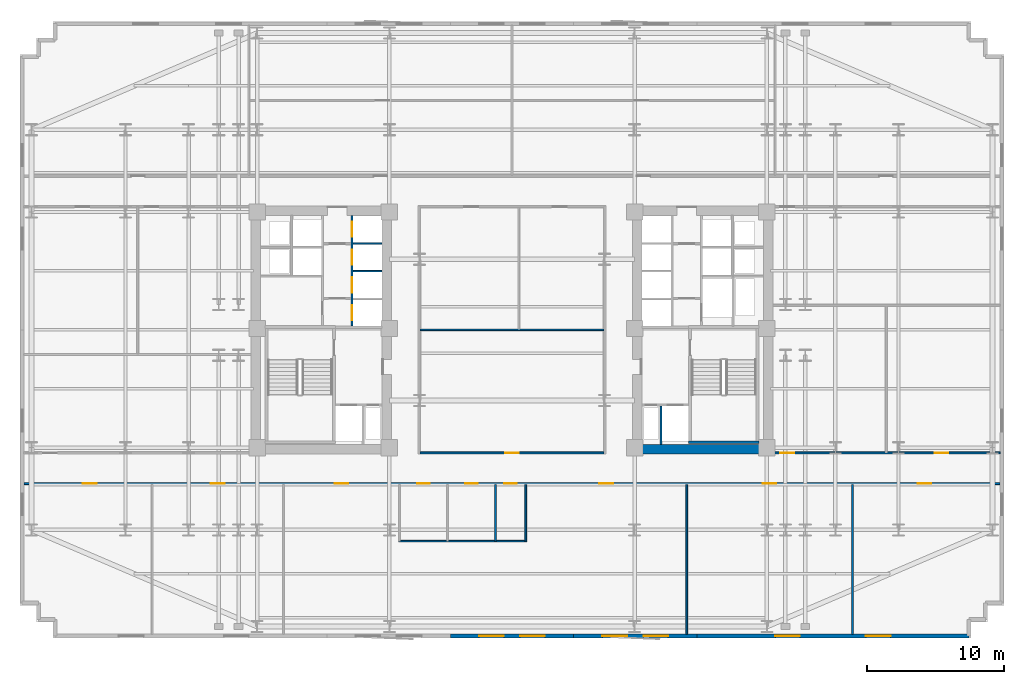
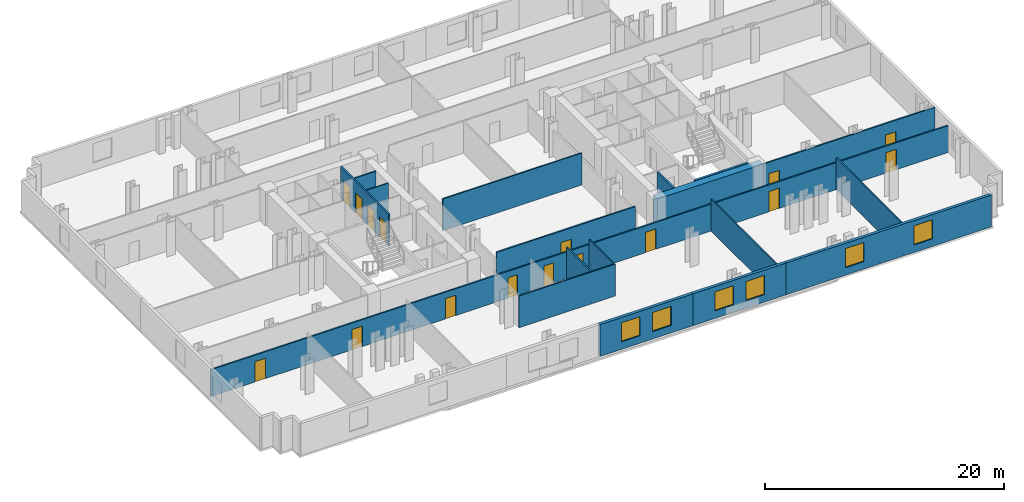
# One storey, part 5 of 10: 18 walls, 16 doors, 6 windows, 22 openings.
"""IFC4 building model written with IfcOpenShell, lengths in metres."""

import ifcopenshell
import ifcopenshell.guid

model = None  # the IFC model being written
_history = None  # IfcOwnerHistory: only IFC2X3 demands one
_inside = {}  # id of a spatial element -> (the spatial element, [elements in it])
_under = {}  # id of a project, library or spatial element -> (it, [spatial elements below it])
_declared = {}  # id of a project -> (the project, [libraries it declares])
_typed = {}  # id of a type object -> (the type object, [elements of that type])
_made_of = {}  # id of a material, layer set ... -> (it, [elements and type objects made of it])


def new_model(schema):
    """Start an empty IFC model of exactly this schema.

    Asked for "IFC4X3", IfcOpenShell would pick the latest addendum, in which some entities
    have other attributes; the version numbers below select the first issue.
    IFC2X3 requires an IfcOwnerHistory on every rooted entity: one is made here for all.
    """
    global model, _history
    if schema == "IFC4X3":
        model = ifcopenshell.file(schema_version=(4, 3, 0, 0))
    else:
        model = ifcopenshell.file(schema=schema)
    _inside.clear()
    _under.clear()
    _declared.clear()
    _typed.clear()
    _made_of.clear()
    _history = None
    if model.schema == "IFC2X3":
        org = make("IfcOrganization", Name="unknown")
        user = make(
            "IfcPersonAndOrganization",
            ThePerson=make("IfcPerson", FamilyName="unknown"),
            TheOrganization=org,
        )
        app = make(
            "IfcApplication",
            ApplicationDeveloper=org,
            Version="unknown",
            ApplicationFullName="unknown",
            ApplicationIdentifier="unknown",
        )
        _history = make(
            "IfcOwnerHistory",
            OwningUser=user,
            OwningApplication=app,
            ChangeAction="ADDED",
            CreationDate=0,
        )
    return model


def make(cls, **values):
    """One entity of the class cls with the attributes given. An attribute that is None is left unset."""
    return model.create_entity(
        cls, **{name: value for name, value in values.items() if value is not None}
    )


def rooted(cls, **values):
    """An entity with a GlobalId (a new one), such as an element, a storey or a relation."""
    return make(cls, GlobalId=ifcopenshell.guid.new(), OwnerHistory=_history, **values)


def si_unit(unit_type, name, prefix=None):
    """IfcSIUnit, for example si_unit("LENGTHUNIT", "METRE", prefix="MILLI")."""
    return make("IfcSIUnit", UnitType=unit_type, Prefix=prefix, Name=name)


def assignment(units):
    """IfcUnitAssignment: the units of a project."""
    return None if units is None else make("IfcUnitAssignment", Units=units)


def point(xyz):
    """IfcCartesianPoint."""
    return None if xyz is None else make("IfcCartesianPoint", Coordinates=xyz)


def direction(xyz):
    """IfcDirection."""
    return None if xyz is None else make("IfcDirection", DirectionRatios=xyz)


def frame(location, z_axis=None, x_axis=None):
    """IfcAxis2Placement3D, a coordinate frame: its origin and axes. An axis left out is left unset."""
    return make(
        "IfcAxis2Placement3D",
        Location=point(location),
        Axis=direction(z_axis),
        RefDirection=direction(x_axis),
    )


def frame_2d(location, x_axis=None):
    """IfcAxis2Placement2D, a coordinate frame in the plane: its origin and x axis."""
    return make(
        "IfcAxis2Placement2D", Location=point(location), RefDirection=direction(x_axis)
    )


def origin():
    """The frame at (0, 0, 0) with its axes left unset."""
    return frame((0.0, 0.0, 0.0))


def place(relative_to, where):
    """IfcLocalPlacement: puts the frame where relative to a parent placement (None: the world)."""
    return make(
        "IfcLocalPlacement", PlacementRelTo=relative_to, RelativePlacement=where
    )


def context(
    kind, dimensions, precision=None, world=None, true_north=None, identifier=None
):
    """IfcGeometricRepresentationContext, for example the 3D "Model" context."""
    return make(
        "IfcGeometricRepresentationContext",
        ContextIdentifier=identifier,
        ContextType=kind,
        CoordinateSpaceDimension=dimensions,
        Precision=precision,
        WorldCoordinateSystem=world,
        TrueNorth=true_north,
    )


def subcontext(parent, identifier, kind, view, scale=None):
    """IfcGeometricRepresentationSubContext, for example "Body" below "Model"."""
    return make(
        "IfcGeometricRepresentationSubContext",
        ContextIdentifier=identifier,
        ContextType=kind,
        ParentContext=parent,
        TargetScale=scale,
        TargetView=view,
    )


def project(units=None, contexts=None):
    """IfcProject with its units and contexts."""
    return rooted(
        "IfcProject",
        Name="project",
        RepresentationContexts=contexts,
        UnitsInContext=assignment(units),
    )


def spatial(cls, under=None, at=None, **own):
    """A site, building, storey or space (cls), placed at a placement, below another one or the project."""
    s = rooted(cls, ObjectPlacement=at, **own)
    if under is not None:
        _under.setdefault(under.id(), (under, []))[1].append(s)
    return s


def profile(cls, at=None, kind="AREA", **sizes):
    """A parametric profile (cls). Its sizes go by their IFC names, for example OverallWidth=200.0."""
    return make(cls, ProfileType=kind, Position=at, **sizes)


def rectangle(**sizes):
    """IfcRectangleProfileDef."""
    return profile("IfcRectangleProfileDef", **sizes)


def extrude(swept, where, along, depth):
    """IfcExtrudedAreaSolid: the profile swept, set in the frame where, extruded along a direction by depth."""
    return make(
        "IfcExtrudedAreaSolid",
        SweptArea=swept,
        Position=where,
        ExtrudedDirection=direction(along),
        Depth=depth,
    )


def shape(context_of_items, identifier, shape_type, items):
    """IfcShapeRepresentation: the items that make up one representation, for example the "Body"."""
    return make(
        "IfcShapeRepresentation",
        ContextOfItems=context_of_items,
        RepresentationIdentifier=identifier,
        RepresentationType=shape_type,
        Items=items,
    )


def material(Name=None, Category=None):
    """IfcMaterial."""
    return make("IfcMaterial", Name=Name, Category=Category)


def layer(
    of_material, thickness, ventilated=None, Name=None, Category=None, Priority=None
):
    """IfcMaterialLayer: one layer of a wall or slab, of a material (None: an air gap)."""
    return make(
        "IfcMaterialLayer",
        Material=of_material,
        LayerThickness=thickness,
        IsVentilated=ventilated,
        Name=Name,
        Category=Category,
        Priority=Priority,
    )


def layer_set(layers, Name=None):
    """IfcMaterialLayerSet."""
    return make("IfcMaterialLayerSet", MaterialLayers=layers, LayerSetName=Name)


def made_of(thing, what):
    """Note that an element or type object is made of a material, layer set ...; save() writes the relation."""
    if what is not None:
        _made_of.setdefault(what.id(), (what, []))[1].append(thing)
    return thing


def type_object(cls, material=None, **own):
    """A type object (cls), such as IfcWallType, which elements share."""
    return made_of(rooted(cls, **own), material)


def element(
    cls,
    number,
    at=None,
    inside=None,
    cuts=None,
    type_object=None,
    material=None,
    context=None,
    identifier="Body",
    shape_type=None,
    held_by="IfcProductDefinitionShape",
    body=None,
    shapes=None,
    **own,
):
    """One element of the class cls, such as IfcWall. Its Tag is "e" and its number.

    at: its placement. inside: the storey or other place that contains it. cuts: it is an
    opening in that element (IfcRelVoidsElement). A single representation is given by context,
    identifier, shape_type and body (its items); several are given by shapes. held_by: the class
    of the entity that holds the representations. save() writes the other relations.
    """
    e = rooted(cls, Tag="e%d" % number, ObjectPlacement=at, **own)
    if body is not None:
        shapes = [shape(context, identifier, shape_type, body)]
    if shapes is not None:
        e.Representation = make(held_by, Representations=shapes)
    if inside is not None:
        _inside.setdefault(inside.id(), (inside, []))[1].append(e)
    if cuts is not None:
        rooted(
            "IfcRelVoidsElement", RelatingBuildingElement=cuts, RelatedOpeningElement=e
        )
    if type_object is not None:
        _typed.setdefault(type_object.id(), (type_object, []))[1].append(e)
    return made_of(e, material)


def fill(opening, filler):
    """IfcRelFillsElement: the door or window that sits in an opening."""
    return rooted(
        "IfcRelFillsElement",
        RelatingOpeningElement=opening,
        RelatedBuildingElement=filler,
    )


def aggregate(whole, parts):
    """IfcRelAggregates: a whole, such as a stair, and the parts it consists of."""
    return rooted("IfcRelAggregates", RelatingObject=whole, RelatedObjects=parts)


def save(model, path):
    """Write the relations noted so far, then the file.

    IfcRelAggregates (storeys below a building ...), IfcRelContainedInSpatialStructure (elements
    in a storey), IfcRelDefinesByType, IfcRelAssociatesMaterial and IfcRelDeclares: one each for
    every whole, place, type object, material and project.
    """
    for whole, parts in _under.values():
        aggregate(whole, parts)
    for where, things in _inside.values():
        rooted(
            "IfcRelContainedInSpatialStructure",
            RelatedElements=things,
            RelatingStructure=where,
        )
    for kind, things in _typed.values():
        rooted("IfcRelDefinesByType", RelatedObjects=things, RelatingType=kind)
    for what, things in _made_of.values():
        rooted("IfcRelAssociatesMaterial", RelatedObjects=things, RelatingMaterial=what)
    for by, libraries in _declared.values():
        rooted("IfcRelDeclares", RelatingContext=by, RelatedDefinitions=libraries)
    model.write(path)


model = new_model("IFC4")

# Units and contexts
model_context = context("Model", 3, precision=1e-05, world=origin(), true_north=direction((0.0, 1.0)))
body_context = subcontext(model_context, "Body", "Model", "MODEL_VIEW")
ifc_project = project(units=[si_unit("LENGTHUNIT", "METRE"), si_unit("AREAUNIT", "SQUARE_METRE"), si_unit("VOLUMEUNIT", "CUBIC_METRE"), si_unit("PLANEANGLEUNIT", "RADIAN"), si_unit("MASSUNIT", "GRAM", prefix="KILO")], contexts=[model_context])

# Site, building, storey
site_placement = place(None, origin())
site = spatial("IfcSite", under=ifc_project, at=site_placement, CompositionType="ELEMENT")
building_placement = place(site_placement, origin())
building = spatial("IfcBuilding", under=site, at=building_placement, Name="Velakula Bourse", CompositionType="ELEMENT")
storey_placement = place(building_placement, frame((0.0, 0.0, 51.89990234375)))
storey = spatial("IfcBuildingStorey", under=building, at=storey_placement, Name="L13", CompositionType="ELEMENT", Elevation=51.89990234375)

# Walls
ifc_material_1 = material(Name="Concrete M50 (fck 50 MPa)", Category="concrete")
ifc_layer_1 = layer(ifc_material_1, 0.2099609375, Name="Concrete M50 (fck 50 MPa)", Category="concrete")
ifc_layer_set_1 = layer_set([ifc_layer_1], Name="Concrete M50 (fck 50 MPa)")
wall_type_1 = type_object("IfcWallType", Name="WL-CORE-210", PredefinedType="SHEAR", material=ifc_layer_set_1)
wall_1_placement = place(storey_placement, frame((12.889892578125, -8.205078125, 0.0), z_axis=(0.0, 0.0, 1.0), x_axis=(1.0, 0.0, 0.0)))
element("IfcWall", 1, at=wall_1_placement, inside=storey, type_object=wall_type_1, Name="L13 Core E Stairwell Shear Wall S", PredefinedType="SHEAR", context=body_context, shape_type="SweptSolid", body=[
    extrude(rectangle(XDim=5.14013671875, YDim=0.2099609375, at=frame_2d((2.570068359375, 0.0))), origin(), (0.0, 0.0, 1.0), 3.27001953125),
])
ifc_material_2 = material(Name="Concrete M70 (fck 70 MPa)", Category="concrete")
ifc_layer_2 = layer(ifc_material_2, 0.699951171875, Name="Concrete M70 (fck 70 MPa)", Category="concrete")
ifc_layer_set_2 = layer_set([ifc_layer_2], Name="Concrete M70 (fck 70 MPa)")
wall_type_2 = type_object("IfcWallType", Name="WL-CORE-700", PredefinedType="SHEAR", material=ifc_layer_set_2)
wall_2_placement = place(storey_placement, frame((8.800048828125, -8.699951171875, 0.0), z_axis=(0.0, 0.0, 1.0), x_axis=(1.0, 0.0, 0.0)))
element("IfcWall", 2, at=wall_2_placement, inside=storey, type_object=wall_type_2, Name="L13 Core E Shear Wall S", PredefinedType="SHEAR", context=body_context, shape_type="SweptSolid", body=[
    extrude(rectangle(XDim=10.25, YDim=0.699951171875, at=frame_2d((5.125, 0.0))), origin(), (0.0, 0.0, 1.0), 3.27001953125),
])

# Wall, openings, windows
ifc_material_3 = material(Name="Red kilned clay facing brick masonry", Category="masonry")
ifc_layer_3 = layer(ifc_material_3, 0.280029296875, Name="Red kilned clay facing brick masonry", Category="masonry")
ifc_layer_set_3 = layer_set([ifc_layer_3], Name="Red kilned clay facing brick masonry")
wall_type_3 = type_object("IfcWallType", Name="WL-EXT-BRK-280", PredefinedType="STANDARD", material=ifc_layer_set_3)
wall_3_placement = place(storey_placement, frame((4.5, -22.340087890625, 0.0), z_axis=(0.0, 0.0, 1.0), x_axis=(-1.0, 0.0, 0.0)))
wall_3 = element("IfcWall", 3, at=wall_3_placement, inside=storey, type_object=wall_type_3, Name="L13 S Brick Spandrel Wall B3", PredefinedType="STANDARD", context=body_context, shape_type="SweptSolid", body=[
    extrude(rectangle(XDim=9.0, YDim=0.280029296875, at=frame_2d((4.5, 0.0))), origin(), (0.0, 0.0, 1.0), 3.25),
])
opening_1_placement = place(wall_3_placement, frame((2.10009765625, 0.0, 0.760009765625)))
opening_1 = element("IfcOpeningElement", 4, at=opening_1_placement, cuts=wall_3, Name="Opening W-01", PredefinedType="OPENING", context=body_context, shape_type="SweptSolid", body=[
    extrude(rectangle(XDim=1.800048828125, YDim=1.949951171875, at=frame_2d((0.89990234375, 0.97509765625))), frame((0.0, 0.14990234375, 0.0), z_axis=(0.0, -1.0, 0.0), x_axis=(1.0, 0.0, 0.0)), (0.0, 0.0, 1.0), 0.300048828125),
])
opening_2_placement = place(wall_3_placement, frame((5.10009765625, 0.0, 0.760009765625)))
opening_2 = element("IfcOpeningElement", 5, at=opening_2_placement, cuts=wall_3, Name="Opening W-01", PredefinedType="OPENING", context=body_context, shape_type="SweptSolid", body=[
    extrude(rectangle(XDim=1.800048828125, YDim=1.949951171875, at=frame_2d((0.89990234375, 0.97509765625))), frame((0.0, 0.14990234375, 0.0), z_axis=(0.0, -1.0, 0.0), x_axis=(1.0, 0.0, 0.0)), (0.0, 0.0, 1.0), 0.300048828125),
])
ifc_material_4 = material(Name="Double-glazed solar-control Low-E glass", Category="glass")
window_type = type_object("IfcWindowType", Name="WIN-TWR-1800x2100", PartitioningType="SINGLE_PANEL", PredefinedType="WINDOW", material=ifc_material_4)
window_1_placement = place(opening_1_placement, origin())
window_1 = element("IfcWindow", 6, at=window_1_placement, inside=storey, type_object=window_type, Name="L13 Deep-Set Recessed Window 1", OverallHeight=1.949951171875, OverallWidth=1.800048828125, PartitioningType="SINGLE_PANEL", PredefinedType="WINDOW", context=body_context, shape_type="SweptSolid", body=[
    extrude(rectangle(XDim=1.800048828125, YDim=1.949951171875, at=frame_2d((0.89990234375, 0.97509765625))), frame((0.0, 0.030029296875, 0.0), z_axis=(0.0, -1.0, 0.0), x_axis=(1.0, 0.0, 0.0)), (0.0, 0.0, 1.0), 0.06005859375),
])
fill(opening_1, window_1)
window_2_placement = place(opening_2_placement, origin())
window_2 = element("IfcWindow", 7, at=window_2_placement, inside=storey, type_object=window_type, Name="L13 Deep-Set Recessed Window 2", OverallHeight=1.949951171875, OverallWidth=1.800048828125, PartitioningType="SINGLE_PANEL", PredefinedType="WINDOW", context=body_context, shape_type="SweptSolid", body=[
    extrude(rectangle(XDim=1.800048828125, YDim=1.949951171875, at=frame_2d((0.89990234375, 0.97509765625))), frame((0.0, 0.030029296875, 0.0), z_axis=(0.0, -1.0, 0.0), x_axis=(1.0, 0.0, 0.0)), (0.0, 0.0, 1.0), 0.06005859375),
])
fill(opening_2, window_2)

wall_4_placement = place(storey_placement, frame((13.5, -22.340087890625, 0.0), z_axis=(0.0, 0.0, 1.0), x_axis=(-1.0, 0.0, 0.0)))
wall_4 = element("IfcWall", 8, at=wall_4_placement, inside=storey, type_object=wall_type_3, Name="L13 S Brick Spandrel Wall B4", PredefinedType="STANDARD", context=body_context, shape_type="SweptSolid", body=[
    extrude(rectangle(XDim=9.0, YDim=0.280029296875, at=frame_2d((4.5, 0.0))), origin(), (0.0, 0.0, 1.0), 3.25),
])
opening_3_placement = place(wall_4_placement, frame((2.10009765625, 0.0, 0.760009765625)))
opening_3 = element("IfcOpeningElement", 9, at=opening_3_placement, cuts=wall_4, Name="Opening W-01", PredefinedType="OPENING", context=body_context, shape_type="SweptSolid", body=[
    extrude(rectangle(XDim=1.800048828125, YDim=1.949951171875, at=frame_2d((0.89990234375, 0.97509765625))), frame((0.0, 0.14990234375, 0.0), z_axis=(0.0, -1.0, 0.0), x_axis=(1.0, 0.0, 0.0)), (0.0, 0.0, 1.0), 0.300048828125),
])
opening_4_placement = place(wall_4_placement, frame((5.10009765625, 0.0, 0.760009765625)))
opening_4 = element("IfcOpeningElement", 10, at=opening_4_placement, cuts=wall_4, Name="Opening W-01", PredefinedType="OPENING", context=body_context, shape_type="SweptSolid", body=[
    extrude(rectangle(XDim=1.800048828125, YDim=1.949951171875, at=frame_2d((0.89990234375, 0.97509765625))), frame((0.0, 0.14990234375, 0.0), z_axis=(0.0, -1.0, 0.0), x_axis=(1.0, 0.0, 0.0)), (0.0, 0.0, 1.0), 0.300048828125),
])
window_3_placement = place(opening_3_placement, origin())
window_3 = element("IfcWindow", 11, at=window_3_placement, inside=storey, type_object=window_type, Name="L13 Deep-Set Recessed Window 1", OverallHeight=1.949951171875, OverallWidth=1.800048828125, PartitioningType="SINGLE_PANEL", PredefinedType="WINDOW", context=body_context, shape_type="SweptSolid", body=[
    extrude(rectangle(XDim=1.800048828125, YDim=1.949951171875, at=frame_2d((0.89990234375, 0.97509765625))), frame((0.0, 0.030029296875, 0.0), z_axis=(0.0, -1.0, 0.0), x_axis=(1.0, 0.0, 0.0)), (0.0, 0.0, 1.0), 0.06005859375),
])
fill(opening_3, window_3)
window_4_placement = place(opening_4_placement, origin())
window_4 = element("IfcWindow", 12, at=window_4_placement, inside=storey, type_object=window_type, Name="L13 Deep-Set Recessed Window 2", OverallHeight=1.949951171875, OverallWidth=1.800048828125, PartitioningType="SINGLE_PANEL", PredefinedType="WINDOW", context=body_context, shape_type="SweptSolid", body=[
    extrude(rectangle(XDim=1.800048828125, YDim=1.949951171875, at=frame_2d((0.89990234375, 0.97509765625))), frame((0.0, 0.030029296875, 0.0), z_axis=(0.0, -1.0, 0.0), x_axis=(1.0, 0.0, 0.0)), (0.0, 0.0, 1.0), 0.06005859375),
])
fill(opening_4, window_4)

wall_5_placement = place(storey_placement, frame((33.340087890625, -22.340087890625, 0.0), z_axis=(0.0, 0.0, 1.0), x_axis=(-1.0, 0.0, 0.0)))
wall_5 = element("IfcWall", 13, at=wall_5_placement, inside=storey, type_object=wall_type_3, Name="L13 S Brick Spandrel Wall B5", PredefinedType="STANDARD", context=body_context, shape_type="SweptSolid", body=[
    extrude(rectangle(XDim=19.840087890625, YDim=0.280029296875, at=frame_2d((9.919921875, 0.0))), origin(), (0.0, 0.0, 1.0), 3.25),
])
opening_5_placement = place(wall_5_placement, frame((5.71337890625, 0.0, 0.760009765625)))
opening_5 = element("IfcOpeningElement", 14, at=opening_5_placement, cuts=wall_5, Name="Opening W-01", PredefinedType="OPENING", context=body_context, shape_type="SweptSolid", body=[
    extrude(rectangle(XDim=1.800048828125, YDim=1.949951171875, at=frame_2d((0.89990234375, 0.97509765625))), frame((0.0, 0.14990234375, 0.0), z_axis=(0.0, -1.0, 0.0), x_axis=(1.0, 0.0, 0.0)), (0.0, 0.0, 1.0), 0.300048828125),
])
opening_6_placement = place(wall_5_placement, frame((12.32666015625, 0.0, 0.760009765625)))
opening_6 = element("IfcOpeningElement", 15, at=opening_6_placement, cuts=wall_5, Name="Opening W-01", PredefinedType="OPENING", context=body_context, shape_type="SweptSolid", body=[
    extrude(rectangle(XDim=1.800048828125, YDim=1.949951171875, at=frame_2d((0.89990234375, 0.97509765625))), frame((0.0, 0.14990234375, 0.0), z_axis=(0.0, -1.0, 0.0), x_axis=(1.0, 0.0, 0.0)), (0.0, 0.0, 1.0), 0.300048828125),
])
window_5_placement = place(opening_5_placement, origin())
window_5 = element("IfcWindow", 16, at=window_5_placement, inside=storey, type_object=window_type, Name="L13 Deep-Set Recessed Window 1", OverallHeight=1.949951171875, OverallWidth=1.800048828125, PartitioningType="SINGLE_PANEL", PredefinedType="WINDOW", context=body_context, shape_type="SweptSolid", body=[
    extrude(rectangle(XDim=1.800048828125, YDim=1.949951171875, at=frame_2d((0.89990234375, 0.97509765625))), frame((0.0, 0.030029296875, 0.0), z_axis=(0.0, -1.0, 0.0), x_axis=(1.0, 0.0, 0.0)), (0.0, 0.0, 1.0), 0.06005859375),
])
fill(opening_5, window_5)
window_6_placement = place(opening_6_placement, origin())
window_6 = element("IfcWindow", 17, at=window_6_placement, inside=storey, type_object=window_type, Name="L13 Deep-Set Recessed Window 2", OverallHeight=1.949951171875, OverallWidth=1.800048828125, PartitioningType="SINGLE_PANEL", PredefinedType="WINDOW", context=body_context, shape_type="SweptSolid", body=[
    extrude(rectangle(XDim=1.800048828125, YDim=1.949951171875, at=frame_2d((0.89990234375, 0.97509765625))), frame((0.0, 0.030029296875, 0.0), z_axis=(0.0, -1.0, 0.0), x_axis=(1.0, 0.0, 0.0)), (0.0, 0.0, 1.0), 0.06005859375),
])
fill(opening_6, window_6)

# Walls
ifc_material_5 = material(Name="Fire-rated double-layer gypsum drywall partition", Category="gypsum")
ifc_layer_4 = layer(ifc_material_5, 0.1201171875, Name="Fire-rated double-layer gypsum drywall partition", Category="gypsum")
ifc_layer_set_4 = layer_set([ifc_layer_4], Name="Fire-rated double-layer gypsum drywall partition")
wall_type_4 = type_object("IfcWallType", Name="WL-PART-120", PredefinedType="STANDARD", material=ifc_layer_set_4)
for number, where, z_axis, x_axis, name in (
    (18, (-11.60009765625, 4.284912109375, 0.0), (0.0, 0.0, 1.0), (1.0, 0.0, 0.0), "L13 Interior Partition WL-CRW-L13-BDIV-1"),
    (19, (-11.60009765625, 6.31494140625, 0.0), (0.0, 0.0, 1.0), (1.0, 0.0, 0.0), "L13 Interior Partition WL-CRW-L13-BDIV-2"),
):
    element("IfcWall", number, at=place(storey_placement, frame(where, z_axis=z_axis, x_axis=x_axis)), inside=storey, type_object=wall_type_4, Name=name, PredefinedType="STANDARD", context=body_context, shape_type="SweptSolid", body=[
        extrude(rectangle(XDim=2.10009765625, YDim=0.110107421875, at=frame_2d((1.050048828125, 0.0))), origin(), (0.0, 0.0, 1.0), 3.25),
    ])
wall_6_placement = place(storey_placement, frame((-8.260009765625, -15.419921875, 0.0), z_axis=(0.0, 0.0, 1.0), x_axis=(1.0, 0.0, 0.0)))
element("IfcWall", 20, at=wall_6_placement, inside=storey, type_object=wall_type_4, Name="L13 Interior Partition WL-WC-L13-BACK", PredefinedType="STANDARD", context=body_context, shape_type="SweptSolid", body=[
    extrude(rectangle(XDim=9.320068359375, YDim=0.1201171875, at=frame_2d((4.66015625, 0.0))), origin(), (0.0, 0.0, 1.0), 3.25),
])
for number, where, z_axis, x_axis, name in (
    (21, (-1.199951171875, -15.419921875, 0.0), (0.0, 0.0, 1.0), (0.0, 1.0, 0.0), "L13 Interior Partition WL-WC-L13-V3"),
    (22, (1.0, -15.419921875, 0.0), (0.0, 0.0, 1.0), (0.0, 1.0, 0.0), "L13 Interior Partition WL-WC-L13-V4"),
):
    element("IfcWall", number, at=place(storey_placement, frame(where, z_axis=z_axis, x_axis=x_axis)), inside=storey, type_object=wall_type_4, Name=name, PredefinedType="STANDARD", context=body_context, shape_type="SweptSolid", body=[
        extrude(rectangle(XDim=4.1298828125, YDim=0.1201171875, at=frame_2d((2.06494140625, 0.0))), origin(), (0.0, 0.0, 1.0), 3.25),
    ])
for number, where, z_axis, x_axis, name in (
    (23, (12.75, -22.219970703125, 0.0), (0.0, 0.0, 1.0), (0.0, 1.0, 0.0), "L13 Interior Partition WL-INT-L13-SR-D7"),
    (24, (24.845947265625, -22.219970703125, 0.0), (0.0, 0.0, 1.0), (0.0, 1.0, 0.0), "L13 Interior Partition WL-INT-L13-SR-D8"),
):
    element("IfcWall", number, at=place(storey_placement, frame(where, z_axis=z_axis, x_axis=x_axis)), inside=storey, type_object=wall_type_4, Name=name, PredefinedType="STANDARD", context=body_context, shape_type="SweptSolid", body=[
        extrude(rectangle(XDim=10.929931640625, YDim=0.1201171875, at=frame_2d((5.46484375, 0.0))), origin(), (0.0, 0.0, 1.0), 3.25),
    ])

# Wall, openings, doors
ifc_layer_5 = layer(ifc_material_5, 0.139892578125, Name="Fire-rated double-layer gypsum drywall partition", Category="gypsum")
ifc_layer_set_5 = layer_set([ifc_layer_5], Name="Fire-rated double-layer gypsum drywall partition")
wall_type_5 = type_object("IfcWallType", Name="WL-PART-140", PredefinedType="STANDARD", material=ifc_layer_set_5)
wall_7_placement = place(storey_placement, frame((-35.6201171875, -11.219970703125, 0.0), z_axis=(0.0, 0.0, 1.0), x_axis=(1.0, 0.0, 0.0)))
wall_7 = element("IfcWall", 25, at=wall_7_placement, inside=storey, type_object=wall_type_5, Name="L13 Interior Partition WL-INT-L13-S-CORR", PredefinedType="STANDARD", context=body_context, shape_type="SweptSolid", body=[
    extrude(rectangle(XDim=71.240234375, YDim=0.139892578125, at=frame_2d((35.6201171875, 0.0))), origin(), (0.0, 0.0, 1.0), 2.7451171875),
])
opening_7_placement = place(wall_7_placement, frame((28.7099609375, 0.0, 0.0)))
opening_7 = element("IfcOpeningElement", 26, at=opening_7_placement, cuts=wall_7, Name="Opening D-WT1", PredefinedType="OPENING", context=body_context, shape_type="SweptSolid", body=[
    extrude(rectangle(XDim=0.919921875, YDim=2.080078125, at=frame_2d((0.4599609375, 1.0400390625))), frame((0.0, 0.079833984375, 0.0), z_axis=(0.0, -1.0, 0.0), x_axis=(1.0, 0.0, 0.0)), (0.0, 0.0, 1.0), 0.159912109375),
])
opening_8_placement = place(wall_7_placement, frame((32.2099609375, 0.0, 0.0)))
opening_8 = element("IfcOpeningElement", 27, at=opening_8_placement, cuts=wall_7, Name="Opening D-WT1", PredefinedType="OPENING", context=body_context, shape_type="SweptSolid", body=[
    extrude(rectangle(XDim=0.919921875, YDim=2.080078125, at=frame_2d((0.4599609375, 1.0400390625))), frame((0.0, 0.079833984375, 0.0), z_axis=(0.0, -1.0, 0.0), x_axis=(1.0, 0.0, 0.0)), (0.0, 0.0, 1.0), 0.159912109375),
])
opening_9_placement = place(wall_7_placement, frame((35.06005859375, 0.0, 0.0)))
opening_9 = element("IfcOpeningElement", 28, at=opening_9_placement, cuts=wall_7, Name="Opening D-WC1", PredefinedType="OPENING", context=body_context, shape_type="SweptSolid", body=[
    extrude(rectangle(XDim=0.919921875, YDim=2.080078125, at=frame_2d((0.4599609375, 1.0400390625))), frame((0.0, 0.079833984375, 0.0), z_axis=(0.0, -1.0, 0.0), x_axis=(1.0, 0.0, 0.0)), (0.0, 0.0, 1.0), 0.159912109375),
])
opening_10_placement = place(wall_7_placement, frame((4.306884765625, 0.0, 0.0)))
opening_10 = element("IfcOpeningElement", 29, at=opening_10_placement, cuts=wall_7, Name="Opening D-OF1", PredefinedType="OPENING", context=body_context, shape_type="SweptSolid", body=[
    extrude(rectangle(XDim=1.0, YDim=2.080078125, at=frame_2d((0.5, 1.0400390625))), frame((0.0, 0.079833984375, 0.0), z_axis=(0.0, -1.0, 0.0), x_axis=(1.0, 0.0, 0.0)), (0.0, 0.0, 1.0), 0.159912109375),
])
opening_11_placement = place(wall_7_placement, frame((13.64990234375, 0.0, 0.0)))
opening_11 = element("IfcOpeningElement", 30, at=opening_11_placement, cuts=wall_7, Name="Opening D-OF1", PredefinedType="OPENING", context=body_context, shape_type="SweptSolid", body=[
    extrude(rectangle(XDim=1.0, YDim=2.080078125, at=frame_2d((0.5, 1.0400390625))), frame((0.0, 0.079833984375, 0.0), z_axis=(0.0, -1.0, 0.0), x_axis=(1.0, 0.0, 0.0)), (0.0, 0.0, 1.0), 0.159912109375),
])
opening_12_placement = place(wall_7_placement, frame((22.678955078125, 0.0, 0.0)))
opening_12 = element("IfcOpeningElement", 31, at=opening_12_placement, cuts=wall_7, Name="Opening D-OF1", PredefinedType="OPENING", context=body_context, shape_type="SweptSolid", body=[
    extrude(rectangle(XDim=1.0, YDim=2.080078125, at=frame_2d((0.5, 1.0400390625))), frame((0.0, 0.079833984375, 0.0), z_axis=(0.0, -1.0, 0.0), x_axis=(1.0, 0.0, 0.0)), (0.0, 0.0, 1.0), 0.159912109375),
])
opening_13_placement = place(wall_7_placement, frame((41.9951171875, 0.0, 0.0)))
opening_13 = element("IfcOpeningElement", 32, at=opening_13_placement, cuts=wall_7, Name="Opening D-OF1", PredefinedType="OPENING", context=body_context, shape_type="SweptSolid", body=[
    extrude(rectangle(XDim=1.0, YDim=2.080078125, at=frame_2d((0.5, 1.0400390625))), frame((0.0, 0.079833984375, 0.0), z_axis=(0.0, -1.0, 0.0), x_axis=(1.0, 0.0, 0.0)), (0.0, 0.0, 1.0), 0.159912109375),
])
opening_14_placement = place(wall_7_placement, frame((53.91796875, 0.0, 0.0)))
opening_14 = element("IfcOpeningElement", 33, at=opening_14_placement, cuts=wall_7, Name="Opening D-OF1", PredefinedType="OPENING", context=body_context, shape_type="SweptSolid", body=[
    extrude(rectangle(XDim=1.0, YDim=2.080078125, at=frame_2d((0.5, 1.0400390625))), frame((0.0, 0.079833984375, 0.0), z_axis=(0.0, -1.0, 0.0), x_axis=(1.0, 0.0, 0.0)), (0.0, 0.0, 1.0), 0.159912109375),
])
opening_15_placement = place(wall_7_placement, frame((65.22705078125, 0.0, 0.0)))
opening_15 = element("IfcOpeningElement", 34, at=opening_15_placement, cuts=wall_7, Name="Opening D-OF1", PredefinedType="OPENING", context=body_context, shape_type="SweptSolid", body=[
    extrude(rectangle(XDim=1.0, YDim=2.080078125, at=frame_2d((0.5, 1.0400390625))), frame((0.0, 0.079833984375, 0.0), z_axis=(0.0, -1.0, 0.0), x_axis=(1.0, 0.0, 0.0)), (0.0, 0.0, 1.0), 0.159912109375),
])
ifc_material_6 = material(Name="Fire-rated hardwood flush architectural door", Category="wood")
door_type_1 = type_object("IfcDoorType", Name="DR-OFF-1000", OperationType="NOTDEFINED", PredefinedType="DOOR", material=ifc_material_6)
door_1_placement = place(opening_10_placement, origin())
door_1 = element("IfcDoor", 35, at=door_1_placement, inside=storey, type_object=door_type_1, Name="L13 Breakout Dining Lounge Door", OperationType="SINGLE_SWING_RIGHT", OverallHeight=2.080078125, OverallWidth=1.0, PredefinedType="DOOR", context=body_context, shape_type="SweptSolid", body=[
    extrude(rectangle(XDim=1.0, YDim=2.080078125, at=frame_2d((0.5, 1.0400390625))), frame((0.0, 0.02490234375, 0.0), z_axis=(0.0, -1.0, 0.0), x_axis=(1.0, 0.0, 0.0)), (0.0, 0.0, 1.0), 0.050048828125),
])
fill(opening_10, door_1)
door_2_placement = place(opening_11_placement, origin())
door_2 = element("IfcDoor", 36, at=door_2_placement, inside=storey, type_object=door_type_1, Name="L13 Issuer Relations Office Door", OperationType="SINGLE_SWING_LEFT", OverallHeight=2.080078125, OverallWidth=1.0, PredefinedType="DOOR", context=body_context, shape_type="SweptSolid", body=[
    extrude(rectangle(XDim=1.0, YDim=2.080078125, at=frame_2d((0.5, 1.0400390625))), frame((0.0, 0.02490234375, 0.0), z_axis=(0.0, -1.0, 0.0), x_axis=(1.0, 0.0, 0.0)), (0.0, 0.0, 1.0), 0.050048828125),
])
fill(opening_11, door_2)
door_3_placement = place(opening_12_placement, origin())
door_3 = element("IfcDoor", 37, at=door_3_placement, inside=storey, type_object=door_type_1, Name="L13 Training Classroom Door", OperationType="SINGLE_SWING_RIGHT", OverallHeight=2.080078125, OverallWidth=1.0, PredefinedType="DOOR", context=body_context, shape_type="SweptSolid", body=[
    extrude(rectangle(XDim=1.0, YDim=2.080078125, at=frame_2d((0.5, 1.0400390625))), frame((0.0, 0.02490234375, 0.0), z_axis=(0.0, -1.0, 0.0), x_axis=(1.0, 0.0, 0.0)), (0.0, 0.0, 1.0), 0.050048828125),
])
fill(opening_12, door_3)
door_4_placement = place(opening_13_placement, origin())
door_4 = element("IfcDoor", 38, at=door_4_placement, inside=storey, type_object=door_type_1, Name="L13 Tea Room Kitchenette Door", OperationType="SINGLE_SWING_LEFT", OverallHeight=2.080078125, OverallWidth=1.0, PredefinedType="DOOR", context=body_context, shape_type="SweptSolid", body=[
    extrude(rectangle(XDim=1.0, YDim=2.080078125, at=frame_2d((0.5, 1.0400390625))), frame((0.0, 0.02490234375, 0.0), z_axis=(0.0, -1.0, 0.0), x_axis=(1.0, 0.0, 0.0)), (0.0, 0.0, 1.0), 0.050048828125),
])
fill(opening_13, door_4)
door_5_placement = place(opening_14_placement, origin())
door_5 = element("IfcDoor", 39, at=door_5_placement, inside=storey, type_object=door_type_1, Name="L13 Market Data Feed Workspace Door", OperationType="SINGLE_SWING_RIGHT", OverallHeight=2.080078125, OverallWidth=1.0, PredefinedType="DOOR", context=body_context, shape_type="SweptSolid", body=[
    extrude(rectangle(XDim=1.0, YDim=2.080078125, at=frame_2d((0.5, 1.0400390625))), frame((0.0, 0.02490234375, 0.0), z_axis=(0.0, -1.0, 0.0), x_axis=(1.0, 0.0, 0.0)), (0.0, 0.0, 1.0), 0.050048828125),
])
fill(opening_14, door_5)
door_6_placement = place(opening_15_placement, origin())
door_6 = element("IfcDoor", 40, at=door_6_placement, inside=storey, type_object=door_type_1, Name="L13 Asset Allocation Office Door", OperationType="SINGLE_SWING_LEFT", OverallHeight=2.080078125, OverallWidth=1.0, PredefinedType="DOOR", context=body_context, shape_type="SweptSolid", body=[
    extrude(rectangle(XDim=1.0, YDim=2.080078125, at=frame_2d((0.5, 1.0400390625))), frame((0.0, 0.02490234375, 0.0), z_axis=(0.0, -1.0, 0.0), x_axis=(1.0, 0.0, 0.0)), (0.0, 0.0, 1.0), 0.050048828125),
])
fill(opening_15, door_6)
door_type_2 = type_object("IfcDoorType", Name="DR-WC-950", OperationType="NOTDEFINED", PredefinedType="DOOR", material=ifc_material_6)
door_7_placement = place(opening_7_placement, origin())
door_7 = element("IfcDoor", 41, at=door_7_placement, inside=storey, type_object=door_type_2, Name="L13 Male Staff Toilet Door", OperationType="SINGLE_SWING_LEFT", OverallHeight=2.080078125, OverallWidth=0.919921875, PredefinedType="DOOR", context=body_context, shape_type="SweptSolid", body=[
    extrude(rectangle(XDim=0.919921875, YDim=2.080078125, at=frame_2d((0.4599609375, 1.0400390625))), frame((0.0, 0.02490234375, 0.0), z_axis=(0.0, -1.0, 0.0), x_axis=(1.0, 0.0, 0.0)), (0.0, 0.0, 1.0), 0.050048828125),
])
fill(opening_7, door_7)
door_8_placement = place(opening_8_placement, origin())
door_8 = element("IfcDoor", 42, at=door_8_placement, inside=storey, type_object=door_type_2, Name="L13 Female Staff Toilet Door", OperationType="SINGLE_SWING_RIGHT", OverallHeight=2.080078125, OverallWidth=0.919921875, PredefinedType="DOOR", context=body_context, shape_type="SweptSolid", body=[
    extrude(rectangle(XDim=0.919921875, YDim=2.080078125, at=frame_2d((0.4599609375, 1.0400390625))), frame((0.0, 0.02490234375, 0.0), z_axis=(0.0, -1.0, 0.0), x_axis=(1.0, 0.0, 0.0)), (0.0, 0.0, 1.0), 0.050048828125),
])
fill(opening_8, door_8)
door_9_placement = place(opening_9_placement, origin())
door_9 = element("IfcDoor", 43, at=door_9_placement, inside=storey, type_object=door_type_2, Name="L13 Accessible WC Door", OperationType="SINGLE_SWING_LEFT", OverallHeight=2.080078125, OverallWidth=0.919921875, PredefinedType="DOOR", context=body_context, shape_type="SweptSolid", body=[
    extrude(rectangle(XDim=0.919921875, YDim=2.080078125, at=frame_2d((0.4599609375, 1.0400390625))), frame((0.0, 0.02490234375, 0.0), z_axis=(0.0, -1.0, 0.0), x_axis=(1.0, 0.0, 0.0)), (0.0, 0.0, 1.0), 0.050048828125),
])
fill(opening_9, door_9)

wall_8_placement = place(storey_placement, frame((19.050048828125, -8.97998046875, 0.0), z_axis=(0.0, 0.0, 1.0), x_axis=(1.0, 0.0, 0.0)))
wall_8 = element("IfcWall", 44, at=wall_8_placement, inside=storey, type_object=wall_type_5, Name="L13 Interior Partition WL-INT-L13-E-SC", PredefinedType="STANDARD", context=body_context, shape_type="SweptSolid", body=[
    extrude(rectangle(XDim=16.570068359375, YDim=0.139892578125, at=frame_2d((8.28515625, 0.0))), origin(), (0.0, 0.0, 1.0), 3.25),
])
opening_16_placement = place(wall_8_placement, frame((0.534912109375, 0.0, 0.0)))
opening_16 = element("IfcOpeningElement", 45, at=opening_16_placement, cuts=wall_8, Name="Opening D-OF1", PredefinedType="OPENING", context=body_context, shape_type="SweptSolid", body=[
    extrude(rectangle(XDim=1.0, YDim=2.080078125, at=frame_2d((0.5, 1.0400390625))), frame((0.0, 0.079833984375, 0.0), z_axis=(0.0, -1.0, 0.0), x_axis=(1.0, 0.0, 0.0)), (0.0, 0.0, 1.0), 0.159912109375),
])
opening_17_placement = place(wall_8_placement, frame((11.782470703125, 0.0, 0.0)))
opening_17 = element("IfcOpeningElement", 46, at=opening_17_placement, cuts=wall_8, Name="Opening D-OF1", PredefinedType="OPENING", context=body_context, shape_type="SweptSolid", body=[
    extrude(rectangle(XDim=1.0, YDim=2.080078125, at=frame_2d((0.5, 1.0400390625))), frame((0.0, 0.079833984375, 0.0), z_axis=(0.0, -1.0, 0.0), x_axis=(1.0, 0.0, 0.0)), (0.0, 0.0, 1.0), 0.159912109375),
])
door_10_placement = place(opening_16_placement, origin())
door_10 = element("IfcDoor", 47, at=door_10_placement, inside=storey, type_object=door_type_1, Name="L13 Cybersecurity Operations Workspace Door", OperationType="SINGLE_SWING_RIGHT", OverallHeight=2.080078125, OverallWidth=1.0, PredefinedType="DOOR", context=body_context, shape_type="SweptSolid", body=[
    extrude(rectangle(XDim=1.0, YDim=2.080078125, at=frame_2d((0.5, 1.0400390625))), frame((0.0, 0.02490234375, 0.0), z_axis=(0.0, -1.0, 0.0), x_axis=(1.0, 0.0, 0.0)), (0.0, 0.0, 1.0), 0.050048828125),
])
fill(opening_16, door_10)
door_11_placement = place(opening_17_placement, origin())
door_11 = element("IfcDoor", 48, at=door_11_placement, inside=storey, type_object=door_type_1, Name="L13 Asset Allocation Office Door", OperationType="SINGLE_SWING_LEFT", OverallHeight=2.080078125, OverallWidth=1.0, PredefinedType="DOOR", context=body_context, shape_type="SweptSolid", body=[
    extrude(rectangle(XDim=1.0, YDim=2.080078125, at=frame_2d((0.5, 1.0400390625))), frame((0.0, 0.02490234375, 0.0), z_axis=(0.0, -1.0, 0.0), x_axis=(1.0, 0.0, 0.0)), (0.0, 0.0, 1.0), 0.050048828125),
])
fill(opening_17, door_11)

# Wall, opening, door
wall_9_placement = place(storey_placement, frame((-6.7099609375, -8.97998046875, 0.0), z_axis=(0.0, 0.0, 1.0), x_axis=(1.0, 0.0, 0.0)))
wall_9 = element("IfcWall", 49, at=wall_9_placement, inside=storey, type_object=wall_type_5, Name="L13 Interior Partition WL-INT-L13-MID-S", PredefinedType="STANDARD", context=body_context, shape_type="SweptSolid", body=[
    extrude(rectangle(XDim=13.419921875, YDim=0.139892578125, at=frame_2d((6.7099609375, 0.0))), origin(), (0.0, 0.0, 1.0), 3.25),
])
opening_18_placement = place(wall_9_placement, frame((6.2099609375, 0.0, 0.0)))
opening_18 = element("IfcOpeningElement", 50, at=opening_18_placement, cuts=wall_9, Name="Opening D-OF1", PredefinedType="OPENING", context=body_context, shape_type="SweptSolid", body=[
    extrude(rectangle(XDim=1.0, YDim=2.080078125, at=frame_2d((0.5, 1.0400390625))), frame((0.0, 0.079833984375, 0.0), z_axis=(0.0, -1.0, 0.0), x_axis=(1.0, 0.0, 0.0)), (0.0, 0.0, 1.0), 0.159912109375),
])
door_12_placement = place(opening_18_placement, origin())
door_12 = element("IfcDoor", 51, at=door_12_placement, inside=storey, type_object=door_type_1, Name="L13 Central Dealing Workspace Door", OperationType="SINGLE_SWING_RIGHT", OverallHeight=2.080078125, OverallWidth=1.0, PredefinedType="DOOR", context=body_context, shape_type="SweptSolid", body=[
    extrude(rectangle(XDim=1.0, YDim=2.080078125, at=frame_2d((0.5, 1.0400390625))), frame((0.0, 0.02490234375, 0.0), z_axis=(0.0, -1.0, 0.0), x_axis=(1.0, 0.0, 0.0)), (0.0, 0.0, 1.0), 0.050048828125),
])
fill(opening_18, door_12)

# Wall
wall_10_placement = place(storey_placement, frame((-6.7099609375, 0.0, 0.0), z_axis=(0.0, 0.0, 1.0), x_axis=(1.0, 0.0, 0.0)))
element("IfcWall", 52, at=wall_10_placement, inside=storey, type_object=wall_type_5, Name="L13 Interior Partition WL-INT-L13-MD3H", PredefinedType="STANDARD", context=body_context, shape_type="SweptSolid", body=[
    extrude(rectangle(XDim=13.419921875, YDim=0.1201171875, at=frame_2d((6.7099609375, 0.0))), origin(), (0.0, 0.0, 1.0), 3.25),
])

# Wall, openings, doors
ifc_material_7 = material(Name="Autoclaved aerated concrete blockwork masonry", Category="masonry")
ifc_layer_6 = layer(ifc_material_7, 0.14990234375, Name="Autoclaved aerated concrete blockwork masonry", Category="masonry")
ifc_layer_set_6 = layer_set([ifc_layer_6], Name="Autoclaved aerated concrete blockwork masonry")
wall_type_6 = type_object("IfcWallType", Name="WL-SHAFT-150", PredefinedType="STANDARD", material=ifc_layer_set_6)
wall_11_placement = place(storey_placement, frame((-11.675048828125, 0.27001953125, 0.0), z_axis=(0.0, 0.0, 1.0), x_axis=(0.0, 1.0, 0.0)))
wall_11 = element("IfcWall", 53, at=wall_11_placement, inside=storey, type_object=wall_type_6, Name="L13 Interior Partition WL-CRW-L13-BANK-F", PredefinedType="STANDARD", context=body_context, shape_type="SweptSolid", body=[
    extrude(rectangle(XDim=8.080078125, YDim=0.14990234375, at=frame_2d((4.0400390625, 0.0))), origin(), (0.0, 0.0, 1.0), 3.25),
])
opening_19_placement = place(wall_11_placement, frame((0.419921875, 0.0, 0.0)))
opening_19 = element("IfcOpeningElement", 54, at=opening_19_placement, cuts=wall_11, Name="Opening LD-P1", PredefinedType="OPENING", context=body_context, shape_type="SweptSolid", body=[
    extrude(rectangle(XDim=1.10009765625, YDim=2.10009765625, at=frame_2d((0.550048828125, 1.050048828125))), frame((0.0, 0.0849609375, 0.0), z_axis=(0.0, -1.0, 0.0), x_axis=(1.0, 0.0, 0.0)), (0.0, 0.0, 1.0), 0.169921875),
])
opening_20_placement = place(wall_11_placement, frame((2.449951171875, 0.0, 0.0)))
opening_20 = element("IfcOpeningElement", 55, at=opening_20_placement, cuts=wall_11, Name="Opening LD-P2", PredefinedType="OPENING", context=body_context, shape_type="SweptSolid", body=[
    extrude(rectangle(XDim=1.10009765625, YDim=2.10009765625, at=frame_2d((0.550048828125, 1.050048828125))), frame((0.0, 0.0849609375, 0.0), z_axis=(0.0, -1.0, 0.0), x_axis=(1.0, 0.0, 0.0)), (0.0, 0.0, 1.0), 0.169921875),
])
opening_21_placement = place(wall_11_placement, frame((4.47998046875, 0.0, 0.0)))
opening_21 = element("IfcOpeningElement", 56, at=opening_21_placement, cuts=wall_11, Name="Opening LD-P3", PredefinedType="OPENING", context=body_context, shape_type="SweptSolid", body=[
    extrude(rectangle(XDim=1.10009765625, YDim=2.10009765625, at=frame_2d((0.550048828125, 1.050048828125))), frame((0.0, 0.0849609375, 0.0), z_axis=(0.0, -1.0, 0.0), x_axis=(1.0, 0.0, 0.0)), (0.0, 0.0, 1.0), 0.169921875),
])
opening_22_placement = place(wall_11_placement, frame((6.510009765625, 0.0, 0.0)))
opening_22 = element("IfcOpeningElement", 57, at=opening_22_placement, cuts=wall_11, Name="Opening LD-P4", PredefinedType="OPENING", context=body_context, shape_type="SweptSolid", body=[
    extrude(rectangle(XDim=1.10009765625, YDim=2.10009765625, at=frame_2d((0.550048828125, 1.050048828125))), frame((0.0, 0.0849609375, 0.0), z_axis=(0.0, -1.0, 0.0), x_axis=(1.0, 0.0, 0.0)), (0.0, 0.0, 1.0), 0.169921875),
])
ifc_material_8 = material(Name="Brushed grade 316 stainless steel", Category="steel")
door_type_3 = type_object("IfcDoorType", Name="DR-SLIDE-LD-1100", OperationType="DOUBLE_DOOR_SLIDING", PredefinedType="DOOR", material=ifc_material_8)
door_13_placement = place(opening_19_placement, origin())
door_13 = element("IfcDoor", 58, at=door_13_placement, inside=storey, type_object=door_type_3, Name="L13 Passenger Lift P1 Sliding Landing Door", OperationType="DOUBLE_DOOR_SLIDING", OverallHeight=2.10009765625, OverallWidth=1.10009765625, PredefinedType="DOOR", context=body_context, shape_type="SweptSolid", body=[
    extrude(rectangle(XDim=1.10009765625, YDim=2.10009765625, at=frame_2d((0.550048828125, 1.050048828125))), frame((0.0, 0.02490234375, 0.0), z_axis=(0.0, -1.0, 0.0), x_axis=(1.0, 0.0, 0.0)), (0.0, 0.0, 1.0), 0.050048828125),
])
fill(opening_19, door_13)
door_14_placement = place(opening_20_placement, origin())
door_14 = element("IfcDoor", 59, at=door_14_placement, inside=storey, type_object=door_type_3, Name="L13 Passenger Lift P2 Sliding Landing Door", OperationType="DOUBLE_DOOR_SLIDING", OverallHeight=2.10009765625, OverallWidth=1.10009765625, PredefinedType="DOOR", context=body_context, shape_type="SweptSolid", body=[
    extrude(rectangle(XDim=1.10009765625, YDim=2.10009765625, at=frame_2d((0.550048828125, 1.050048828125))), frame((0.0, 0.02490234375, 0.0), z_axis=(0.0, -1.0, 0.0), x_axis=(1.0, 0.0, 0.0)), (0.0, 0.0, 1.0), 0.050048828125),
])
fill(opening_20, door_14)
door_15_placement = place(opening_21_placement, origin())
door_15 = element("IfcDoor", 60, at=door_15_placement, inside=storey, type_object=door_type_3, Name="L13 Passenger Lift P3 Sliding Landing Door", OperationType="DOUBLE_DOOR_SLIDING", OverallHeight=2.10009765625, OverallWidth=1.10009765625, PredefinedType="DOOR", context=body_context, shape_type="SweptSolid", body=[
    extrude(rectangle(XDim=1.10009765625, YDim=2.10009765625, at=frame_2d((0.550048828125, 1.050048828125))), frame((0.0, 0.02490234375, 0.0), z_axis=(0.0, -1.0, 0.0), x_axis=(1.0, 0.0, 0.0)), (0.0, 0.0, 1.0), 0.050048828125),
])
fill(opening_21, door_15)
door_16_placement = place(opening_22_placement, origin())
door_16 = element("IfcDoor", 61, at=door_16_placement, inside=storey, type_object=door_type_3, Name="L13 Passenger Lift P4 Sliding Landing Door", OperationType="DOUBLE_DOOR_SLIDING", OverallHeight=2.10009765625, OverallWidth=1.10009765625, PredefinedType="DOOR", context=body_context, shape_type="SweptSolid", body=[
    extrude(rectangle(XDim=1.10009765625, YDim=2.10009765625, at=frame_2d((0.550048828125, 1.050048828125))), frame((0.0, 0.02490234375, 0.0), z_axis=(0.0, -1.0, 0.0), x_axis=(1.0, 0.0, 0.0)), (0.0, 0.0, 1.0), 0.050048828125),
])
fill(opening_22, door_16)

# Wall
wall_12_placement = place(storey_placement, frame((10.875, -8.35009765625, 0.0), z_axis=(0.0, 0.0, 1.0), x_axis=(0.0, 1.0, 0.0)))
element("IfcWall", 62, at=wall_12_placement, inside=storey, type_object=wall_type_6, Name="L13 Interior Partition WL-CRE-L13-FR-DIV", PredefinedType="STANDARD", context=body_context, shape_type="SweptSolid", body=[
    extrude(rectangle(XDim=2.800048828125, YDim=0.14990234375, at=frame_2d((1.39990234375, 0.0))), origin(), (0.0, 0.0, 1.0), 3.25),
])

save(model, "model.ifc")
